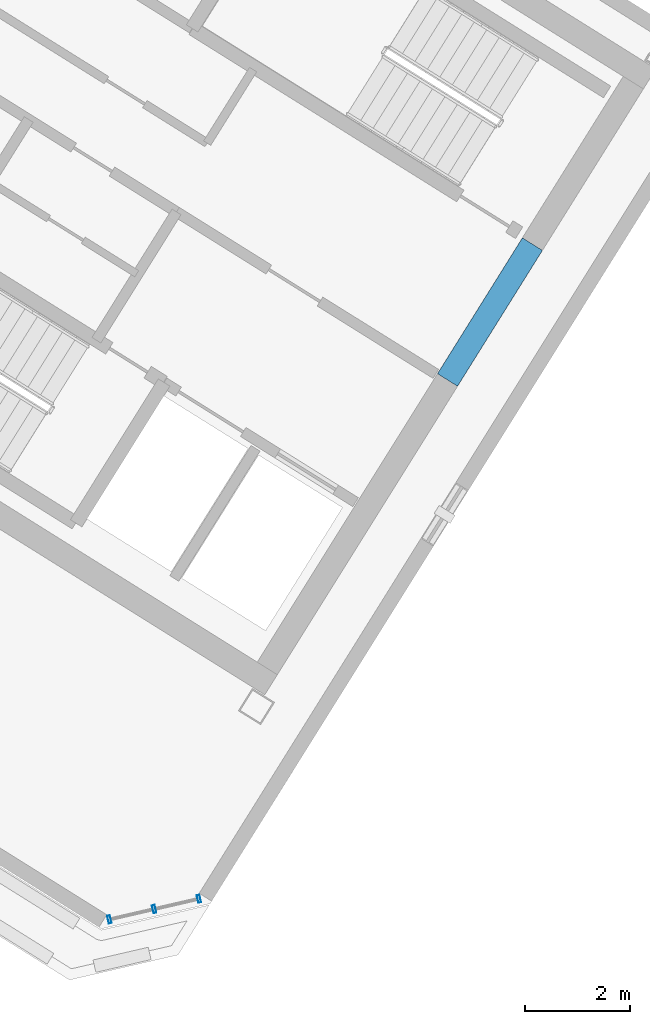
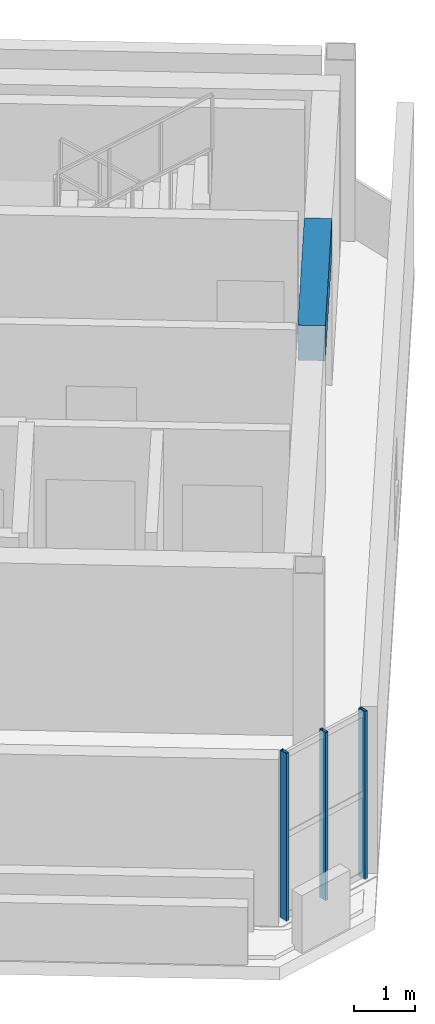
# One storey, part 3 of 8: 3 members, 1 beam, 1 element without a shape of its own.
"""IFC4 building model written with IfcOpenShell, lengths in metres."""

from ifc_helpers import new_model, si_unit, direction, frame, origin, origin_2d, place, context, subcontext, project, spatial, rectangle, hollow_rectangle, extrude, source, transform, mapped, material, material_profile, profile_set, type_object, element, aggregate, save


model = new_model("IFC4")

# Units and contexts
model_context = context("Model", 3, precision=1e-05, world=origin(), true_north=direction((0.0, 1.0)))
body_context = subcontext(model_context, "Body", "Model", "MODEL_VIEW")
ifc_project = project(units=[si_unit("LENGTHUNIT", "METRE"), si_unit("AREAUNIT", "SQUARE_METRE"), si_unit("VOLUMEUNIT", "CUBIC_METRE"), si_unit("PLANEANGLEUNIT", "RADIAN"), si_unit("MASSUNIT", "GRAM", prefix="KILO")], contexts=[model_context])

# Site, building, storey
site_placement = place(None, origin())
site = spatial("IfcSite", under=ifc_project, at=site_placement, CompositionType="ELEMENT")
building_placement = place(site_placement, origin())
building = spatial("IfcBuilding", under=site, at=building_placement, Name="Tlacorven Tower", CompositionType="ELEMENT")
storey_placement = place(building_placement, frame((0.0, 0.0, 302.39990234375)))
storey = spatial("IfcBuildingStorey", under=building, at=storey_placement, Name="L77", CompositionType="ELEMENT", Elevation=302.39990234375)

# Beam
ifc_material_1 = material(Name="Concrete C60/75", Category="concrete")
ifc_material_profile_1 = material_profile(ifc_material_1, rectangle(XDim=0.449951171875, YDim=0.699951171875, at=origin_2d()), Name="RC 450X700")
ifc_profile_set_1 = profile_set([ifc_material_profile_1], Name="Concrete C60/75")
beam_type = type_object("IfcBeamType", Name="BM-LNT-700", PredefinedType="LINTEL", material=ifc_profile_set_1)
shared_shape_1 = source(origin(), body_context, "Body", "SweptSolid", [
    extrude(rectangle(XDim=0.449951171875, YDim=0.699951171875, at=origin_2d()), origin(), (0.0, 0.0, 1.0), 3.050048828125),
])
beam_placement = place(storey_placement, frame((38.2998046875, 20.890625, 2.97021484375), z_axis=(-0.529984549635, -0.848007297815, 0.0), x_axis=(0.848007297815, -0.529984549635, 0.0)))
element("IfcBeam", 1, at=beam_placement, inside=storey, type_object=beam_type, Name="L77 W core coupling lintel beam E1", PredefinedType="LINTEL", context=body_context, shape_type="MappedRepresentation", body=[
    mapped(shared_shape_1, transform((0.0, 0.0, 0.0), scale=1.0)),
])

# Curtain wall, members
ifc_material_2 = material(Name="Dark solar low-E double glazing in aluminium frame", Category="aluminium")
curtain_wall_type = type_object("IfcCurtainWallType", Name="CW-CRN-LANTERN", PredefinedType="USERDEFINED", material=ifc_material_2)
curtain_wall_placement = place(storey_placement, origin())
curtain_wall = element("IfcCurtainWall", 2, at=curtain_wall_placement, inside=storey, type_object=curtain_wall_type, Name="L77 CW-CRN-LANTERN Curtain Wall 357", ObjectType="UNITISED CURTAIN WALL", PredefinedType="USERDEFINED")
ifc_material_3 = material(Name="Aluminium 6063-T6 anodised", Category="aluminium")
ifc_material_profile_2 = material_profile(ifc_material_3, hollow_rectangle(XDim=0.054931640625, YDim=0.14990234375, WallThickness=0.00390625, at=origin_2d()), Name="ALU MULLION 55X150")
ifc_profile_set_2 = profile_set([ifc_material_profile_2], Name="Aluminium 6063-T6 anodised")
member_type = type_object("IfcMemberType", Name="CWM-04", PredefinedType="MULLION", material=ifc_profile_set_2)
shared_shape_2 = source(origin(), body_context, "Body", "SweptSolid", [
    extrude(hollow_rectangle(XDim=0.054931640625, YDim=0.14990234375, WallThickness=0.00390625, at=origin_2d()), origin(), (0.0, 0.0, 1.0), 3.35009765625),
])
member_1_placement = place(storey_placement, frame((31.951171875, 8.42919921875, -0.02001953125), z_axis=(0.0, 0.0, 1.0), x_axis=(-0.97437037555, -0.22494970827, 0.0)))
member_1 = element("IfcMember", 3, at=member_1_placement, type_object=member_type, Name="CW-L77-357 Mullion 1", PredefinedType="MULLION", context=body_context, shape_type="MappedRepresentation", body=[
    mapped(shared_shape_2, transform((0.0, 0.0, 0.0), scale=1.0)),
])
member_2_placement = place(storey_placement, frame((31.0986328125, 8.232177734375, -0.02001953125), z_axis=(0.0, 0.0, 1.0), x_axis=(-0.97437037555, -0.22494970827, 0.0)))
member_2 = element("IfcMember", 4, at=member_2_placement, type_object=member_type, Name="CW-L77-357 Mullion 2", PredefinedType="MULLION", context=body_context, shape_type="MappedRepresentation", body=[
    mapped(shared_shape_2, transform((0.0, 0.0, 0.0), scale=1.0)),
])
member_3_placement = place(storey_placement, frame((30.245849609375, 8.035400390625, -0.02001953125), z_axis=(0.0, 0.0, 1.0), x_axis=(-0.97437037555, -0.22494970827, 0.0)))
member_3 = element("IfcMember", 5, at=member_3_placement, type_object=member_type, Name="CW-L77-357 Mullion 3", PredefinedType="MULLION", context=body_context, shape_type="MappedRepresentation", body=[
    mapped(shared_shape_2, transform((0.0, 0.0, 0.0), scale=1.0)),
])
aggregate(curtain_wall, [member_1, member_2, member_3])

save(model, "model.ifc")
